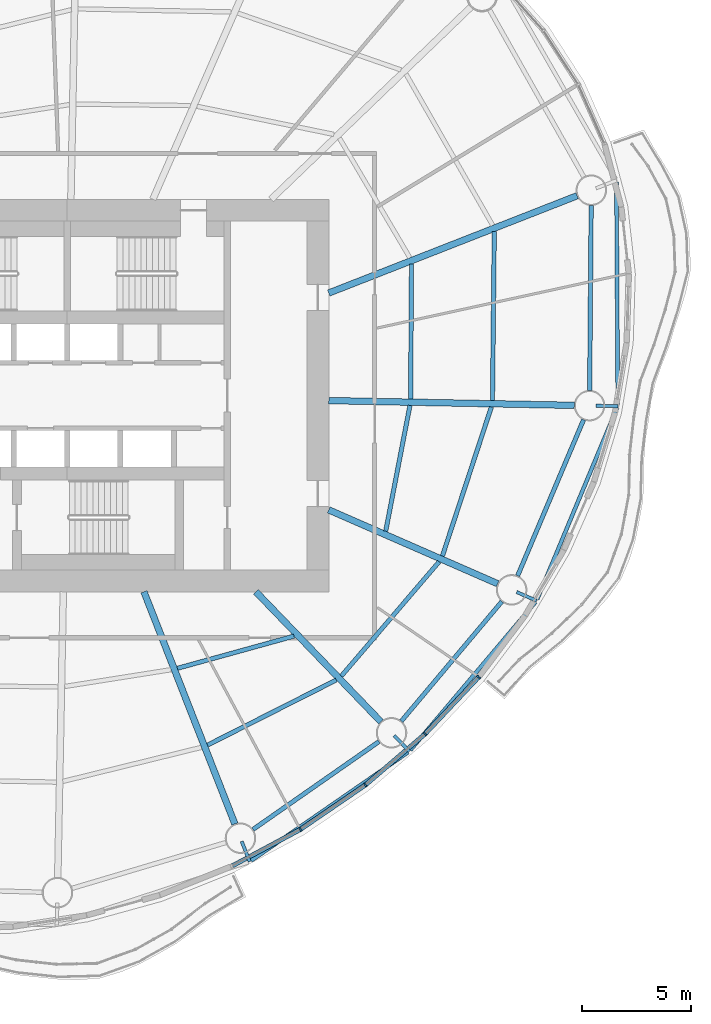
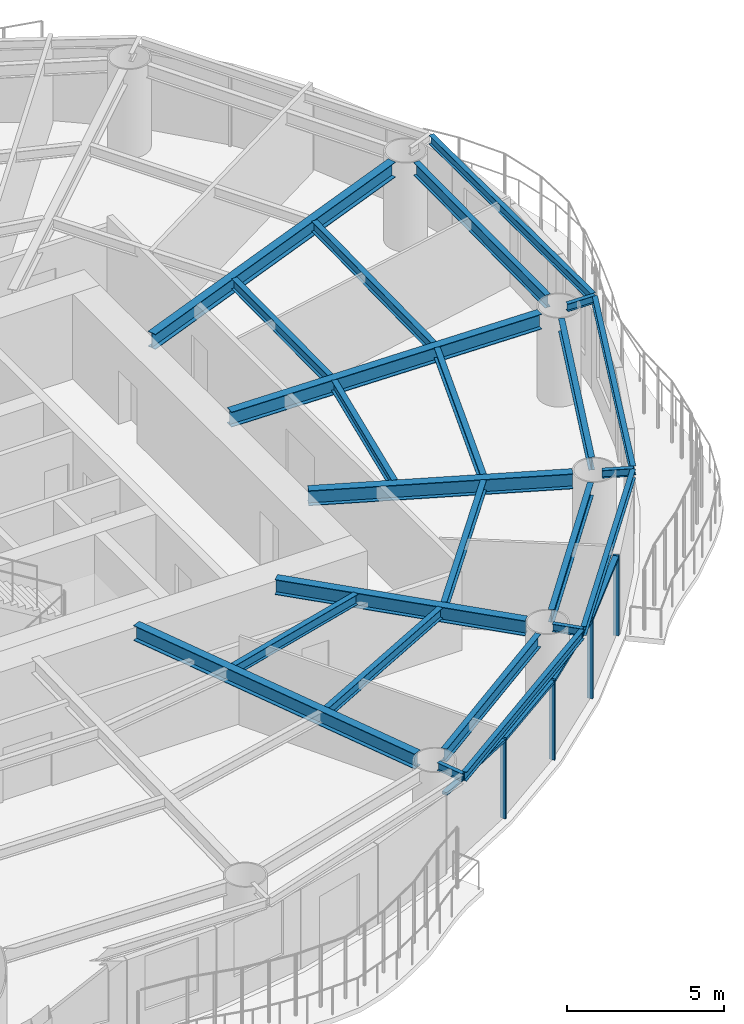
# One storey, part 4 of 15: 24 beams, 8 members, 4 elements without a shape of their own.
"""IFC4 building model written with IfcOpenShell, lengths in metres."""

from ifc_helpers import new_model, si_unit, direction, frame, origin, origin_2d, place, context, subcontext, project, spatial, rectangle, i_section, extrude, material, material_profile, profile_set, type_object, element, aggregate, save


model = new_model("IFC4")

# Units and contexts
model_context = context("Model", 3, precision=1e-05, world=origin(), true_north=direction((0.0, 1.0)))
body_context = subcontext(model_context, "Body", "Model", "MODEL_VIEW")
ifc_project = project(units=[si_unit("LENGTHUNIT", "METRE"), si_unit("AREAUNIT", "SQUARE_METRE"), si_unit("VOLUMEUNIT", "CUBIC_METRE"), si_unit("PLANEANGLEUNIT", "RADIAN"), si_unit("MASSUNIT", "GRAM", prefix="KILO")], contexts=[model_context])

# Site, building, storey
site_placement = place(None, origin())
site = spatial("IfcSite", under=ifc_project, at=site_placement, CompositionType="ELEMENT")
building_placement = place(site_placement, origin())
building = spatial("IfcBuilding", under=site, at=building_placement, Name="Vermilion Reach Broadcast Tower", CompositionType="ELEMENT")
storey_placement = place(building_placement, frame((0.0, 0.0, 183.0)))
storey = spatial("IfcBuildingStorey", under=building, at=storey_placement, Name="L44", CompositionType="ELEMENT", Elevation=183.0)

# Beams
ifc_material_1 = material(Name="Steel S355J2", Category="steel")
ifc_material_profile_1 = material_profile(ifc_material_1, i_section(OverallWidth=0.175048828125, OverallDepth=0.35009765625, WebThickness=0.007080078125, FlangeThickness=0.010986328125, at=origin_2d()), Name="S355J2 HN 350x175x7x11")
ifc_profile_set_1 = profile_set([ifc_material_profile_1], Name="Steel S355J2")
beam_type_1 = type_object("IfcBeamType", Name="EB3 HN 350x175x7x11", PredefinedType="BEAM", material=ifc_profile_set_1)
beam_1_placement = place(storey_placement, frame((2.4365234375, -21.3330078125, 3.27490234375), z_axis=(0.822726304078, 0.568437708618, 0.0), x_axis=(-0.568437708618, 0.822726304078, 0.0)))
element("IfcBeam", 1, at=beam_1_placement, inside=storey, type_object=beam_type_1, Name="Edge beam EB3-12", PredefinedType="BEAM", context=body_context, shape_type="SweptSolid", body=[
    extrude(i_section(OverallWidth=0.175048828125, OverallDepth=0.35009765625, WebThickness=0.007080078125, FlangeThickness=0.010986328125, at=origin_2d()), origin(), (0.0, 0.0, 1.0), 8.748291015625),
])
beam_2_placement = place(storey_placement, frame((9.745361328125, -16.25927734375, 3.27490234375), z_axis=(0.645529615805, 0.763735238887, 0.0), x_axis=(-0.763735238887, 0.645529615805, 0.0)))
element("IfcBeam", 2, at=beam_2_placement, inside=storey, type_object=beam_type_1, Name="Edge beam EB3-13", PredefinedType="BEAM", context=body_context, shape_type="SweptSolid", body=[
    extrude(i_section(OverallWidth=0.175048828125, OverallDepth=0.35009765625, WebThickness=0.007080078125, FlangeThickness=0.010986328125, at=origin_2d()), origin(), (0.0, 0.0, 1.0), 8.887451171875),
])
beam_3_placement = place(storey_placement, frame((15.561767578125, -9.3427734375, 3.27490234375), z_axis=(0.385054534392, 0.922893821382, 0.0), x_axis=(-0.922893821382, 0.385054534392, 0.0)))
element("IfcBeam", 3, at=beam_3_placement, inside=storey, type_object=beam_type_1, Name="Edge beam EB3-14", PredefinedType="BEAM", context=body_context, shape_type="SweptSolid", body=[
    extrude(i_section(OverallWidth=0.175048828125, OverallDepth=0.35009765625, WebThickness=0.007080078125, FlangeThickness=0.010986328125, at=origin_2d()), origin(), (0.0, 0.0, 1.0), 9.512451171875),
])
beam_4_placement = place(storey_placement, frame((19.255126953125, -0.414306640625, 3.27490234375), z_axis=(-0.005982471672, 0.999982104856, 0.0), x_axis=(-0.999982104856, -0.005982471672, 0.0)))
element("IfcBeam", 4, at=beam_4_placement, inside=storey, type_object=beam_type_1, Name="Edge beam EB3-15", PredefinedType="BEAM", context=body_context, shape_type="SweptSolid", body=[
    extrude(i_section(OverallWidth=0.175048828125, OverallDepth=0.35009765625, WebThickness=0.007080078125, FlangeThickness=0.010986328125, at=origin_2d()), origin(), (0.0, 0.0, 1.0), 10.202392578125),
])
ifc_material_2 = material(Name="Steel S355J2", Category="steel")
ifc_material_profile_2 = material_profile(ifc_material_2, i_section(OverallWidth=0.300048828125, OverallDepth=0.587890625, WebThickness=0.011962890625, FlangeThickness=0.02001953125, at=origin_2d()), Name="S355J2 HM 588x300x12x20")
ifc_profile_set_2 = profile_set([ifc_material_profile_2], Name="Steel S355J2")
beam_type_2 = type_object("IfcBeamType", Name="G3 HM 588x300x12x20", PredefinedType="BEAM", material=ifc_profile_set_2)
beam_5_placement = place(storey_placement, frame((-2.474853515625, -9.0, 3.156005859375), z_axis=(0.364715649973, -0.931118947646, 0.0), x_axis=(0.931118947646, 0.364715649973, 0.0)))
element("IfcBeam", 5, at=beam_5_placement, inside=storey, type_object=beam_type_2, Name="Girder G3-12", PredefinedType="BEAM", context=body_context, shape_type="SweptSolid", body=[
    extrude(i_section(OverallWidth=0.300048828125, OverallDepth=0.587890625, WebThickness=0.011962890625, FlangeThickness=0.02001953125, at=origin_2d()), origin(), (0.0, 0.0, 1.0), 11.436767578125),
])
beam_6_placement = place(storey_placement, frame((2.657958984375, -9.0, 3.156005859375), z_axis=(0.693282657492, -0.72066577331, 0.0), x_axis=(0.72066577331, 0.693282657492, 0.0)))
element("IfcBeam", 6, at=beam_6_placement, inside=storey, type_object=beam_type_2, Name="Girder G3-13", PredefinedType="BEAM", context=body_context, shape_type="SweptSolid", body=[
    extrude(i_section(OverallWidth=0.300048828125, OverallDepth=0.587890625, WebThickness=0.011962890625, FlangeThickness=0.02001953125, at=origin_2d()), origin(), (0.0, 0.0, 1.0), 8.273681640625),
])
beam_7_placement = place(storey_placement, frame((6.0, -5.2451171875, 3.156005859375), z_axis=(0.916287847036, -0.400520388213, 0.0), x_axis=(0.400520388213, 0.916287847036, 0.0)))
element("IfcBeam", 7, at=beam_7_placement, inside=storey, type_object=beam_type_2, Name="Girder G3-14", PredefinedType="BEAM", context=body_context, shape_type="SweptSolid", body=[
    extrude(i_section(OverallWidth=0.300048828125, OverallDepth=0.587890625, WebThickness=0.011962890625, FlangeThickness=0.02001953125, at=origin_2d()), origin(), (0.0, 0.0, 1.0), 8.45458984375),
])
beam_8_placement = place(storey_placement, frame((6.0, -0.232421875, 3.156005859375), z_axis=(0.999812170888, -0.019380994401, 0.0), x_axis=(0.019380994401, 0.999812170888, 0.0)))
element("IfcBeam", 8, at=beam_8_placement, inside=storey, type_object=beam_type_2, Name="Girder G3-15", PredefinedType="BEAM", context=body_context, shape_type="SweptSolid", body=[
    extrude(i_section(OverallWidth=0.300048828125, OverallDepth=0.587890625, WebThickness=0.011962890625, FlangeThickness=0.02001953125, at=origin_2d()), origin(), (0.0, 0.0, 1.0), 11.26171875),
])
beam_9_placement = place(storey_placement, frame((6.0, 4.700439453125, 3.156005859375), z_axis=(0.931124635714, 0.364701128004, 0.0), x_axis=(-0.364701128004, 0.931124635714, 0.0)))
element("IfcBeam", 9, at=beam_9_placement, inside=storey, type_object=beam_type_2, Name="Girder G3-16", PredefinedType="BEAM", context=body_context, shape_type="SweptSolid", body=[
    extrude(i_section(OverallWidth=0.300048828125, OverallDepth=0.587890625, WebThickness=0.011962890625, FlangeThickness=0.02001953125, at=origin_2d()), origin(), (0.0, 0.0, 1.0), 12.231201171875),
])
ifc_material_3 = material(Name="Steel S355J2", Category="steel")
ifc_material_profile_3 = material_profile(ifc_material_3, i_section(OverallWidth=0.14990234375, OverallDepth=0.300048828125, WebThickness=0.006591796875, FlangeThickness=0.009033203125, at=origin_2d()), Name="S355J2 HN 300x150x6.5x9")
ifc_profile_set_3 = profile_set([ifc_material_profile_3], Name="Steel S355J2")
beam_type_3 = type_object("IfcBeamType", Name="GS3 HN 300x150x6.5x9", PredefinedType="BEAM", material=ifc_profile_set_3)
for number, where, z_axis, x_axis, name in (
    (10, (2.008544921875, -20.44580078125, 3.300048828125), (0.364730702407, -0.931113051526, 0.0), (0.931113051526, 0.364730702407, 0.0), "Cantilever stub GS3-12"),
    (11, (9.00341796875, -15.59619140625, 3.300048828125), (0.69317702606, -0.720767376164, 0.0), (0.720767376164, 0.69317702606, 0.0), "Cantilever stub GS3-13"),
    (12, (14.616455078125, -9.011474609375, 3.300048828125), (0.916330962408, -0.400421736837, 0.0), (0.400421736837, 0.916330962408, 0.0), "Cantilever stub GS3-14"),
    (13, (18.255859375, -0.469970703125, 3.300048828125), (0.999813964781, -0.019288230334, 0.0), (0.019288230334, 0.999813964781, 0.0), "Cantilever stub GS3-15"),
):
    element("IfcBeam", number, at=place(storey_placement, frame(where, z_axis=z_axis, x_axis=x_axis)), inside=storey, type_object=beam_type_3, Name=name, PredefinedType="BEAM", context=body_context, shape_type="SweptSolid", body=[
        extrude(i_section(OverallWidth=0.14990234375, OverallDepth=0.300048828125, WebThickness=0.006591796875, FlangeThickness=0.009033203125, at=origin_2d()), origin(), (0.0, 0.0, 1.0), 1.0),
    ])
ifc_material_4 = material(Name="Steel S355J2", Category="steel")
ifc_material_profile_4 = material_profile(ifc_material_4, i_section(OverallWidth=0.199951171875, OverallDepth=0.5, WebThickness=0.010009765625, FlangeThickness=0.01611328125, at=origin_2d()), Name="S355J2 HN 500x200x10x16")
ifc_profile_set_4 = profile_set([ifc_material_profile_4], Name="Steel S355J2")
beam_type_4 = type_object("IfcBeamType", Name="RB3 HN 500x200x10x16", PredefinedType="BEAM", material=ifc_profile_set_4)
beam_10_placement = place(storey_placement, frame((2.525634765625, -19.900146484375, 3.199951171875), z_axis=(0.820111453349, 0.572203813415, 0.0), x_axis=(-0.572203813415, 0.820111453349, 0.0)))
element("IfcBeam", 14, at=beam_10_placement, inside=storey, type_object=beam_type_4, Name="Ring beam RB3-12", PredefinedType="BEAM", context=body_context, shape_type="SweptSolid", body=[
    extrude(i_section(OverallWidth=0.199951171875, OverallDepth=0.5, WebThickness=0.010009765625, FlangeThickness=0.01611328125, at=origin_2d()), origin(), (0.0, 0.0, 1.0), 7.04736328125),
])
beam_11_placement = place(storey_placement, frame((9.32958984375, -14.931396484375, 3.199951171875), z_axis=(0.643350337931, 0.765571905626, 0.0), x_axis=(-0.765571905626, 0.643350337931, 0.0)))
element("IfcBeam", 15, at=beam_11_placement, inside=storey, type_object=beam_type_4, Name="Ring beam RB3-13", PredefinedType="BEAM", context=body_context, shape_type="SweptSolid", body=[
    extrude(i_section(OverallWidth=0.199951171875, OverallDepth=0.5, WebThickness=0.010009765625, FlangeThickness=0.01611328125, at=origin_2d()), origin(), (0.0, 0.0, 1.0), 7.1630859375),
])
beam_12_placement = place(storey_placement, frame((14.660888671875, -8.266845703125, 3.199951171875), z_axis=(0.389368386196, 0.921082113512, 0.0), x_axis=(-0.921082113512, 0.389368386196, 0.0)))
element("IfcBeam", 16, at=beam_12_placement, inside=storey, type_object=beam_type_4, Name="Ring beam RB3-14", PredefinedType="BEAM", context=body_context, shape_type="SweptSolid", body=[
    extrude(i_section(OverallWidth=0.199951171875, OverallDepth=0.5, WebThickness=0.010009765625, FlangeThickness=0.01611328125, at=origin_2d()), origin(), (0.0, 0.0, 1.0), 7.771240234375),
])
beam_13_placement = place(storey_placement, frame((17.965087890625, 0.23583984375, 3.199951171875), z_axis=(0.008204232036, 0.999966344722, 0.0), x_axis=(-0.999966344722, 0.008204232036, 0.0)))
element("IfcBeam", 17, at=beam_13_placement, inside=storey, type_object=beam_type_4, Name="Ring beam RB3-15", PredefinedType="BEAM", context=body_context, shape_type="SweptSolid", body=[
    extrude(i_section(OverallWidth=0.199951171875, OverallDepth=0.5, WebThickness=0.010009765625, FlangeThickness=0.01611328125, at=origin_2d()), origin(), (0.0, 0.0, 1.0), 8.48095703125),
])
ifc_material_5 = material(Name="Steel S355J2", Category="steel")
ifc_material_profile_5 = material_profile(ifc_material_5, i_section(OverallWidth=0.199951171875, OverallDepth=0.39990234375, WebThickness=0.008056640625, FlangeThickness=0.012939453125, at=origin_2d()), Name="S355J2 HN 400x200x8x13")
ifc_profile_set_5 = profile_set([ifc_material_profile_5], Name="Steel S355J2")
beam_type_5 = type_object("IfcBeamType", Name="SB3 HN 400x200x8x13", PredefinedType="BEAM", material=ifc_profile_set_5)
beam_14_placement = place(storey_placement, frame((-0.93896484375, -12.509521484375, 3.25), z_axis=(0.963889790258, 0.266301468708, 0.0), x_axis=(-0.266301468708, 0.963889790258, 0.0)))
element("IfcBeam", 18, at=beam_14_placement, inside=storey, type_object=beam_type_5, Name="Secondary beam SB3-12-1", PredefinedType="BEAM", context=body_context, shape_type="SweptSolid", body=[
    extrude(i_section(OverallWidth=0.199951171875, OverallDepth=0.39990234375, WebThickness=0.008056640625, FlangeThickness=0.012939453125, at=origin_2d()), origin(), (0.0, 0.0, 1.0), 5.544677734375),
])
beam_15_placement = place(storey_placement, frame((0.4404296875, -16.03125, 3.25), z_axis=(0.892320561657, 0.451402276516, 0.0), x_axis=(-0.451402276516, 0.892320561657, 0.0)))
element("IfcBeam", 19, at=beam_15_placement, inside=storey, type_object=beam_type_5, Name="Secondary beam SB3-12-2", PredefinedType="BEAM", context=body_context, shape_type="SweptSolid", body=[
    extrude(i_section(OverallWidth=0.199951171875, OverallDepth=0.39990234375, WebThickness=0.008056640625, FlangeThickness=0.012939453125, at=origin_2d()), origin(), (0.0, 0.0, 1.0), 6.613525390625),
])
beam_16_placement = place(storey_placement, frame((6.579833984375, -12.860595703125, 3.25), z_axis=(0.650167134505, 0.759791219487, 0.0), x_axis=(-0.759791219487, 0.650167134505, 0.0)))
element("IfcBeam", 20, at=beam_16_placement, inside=storey, type_object=beam_type_5, Name="Secondary beam SB3-13-2", PredefinedType="BEAM", context=body_context, shape_type="SweptSolid", body=[
    extrude(i_section(OverallWidth=0.199951171875, OverallDepth=0.39990234375, WebThickness=0.008056640625, FlangeThickness=0.012939453125, at=origin_2d()), origin(), (0.0, 0.0, 1.0), 6.89501953125),
])
beam_17_placement = place(storey_placement, frame((8.611328125, -6.222900390625, 3.25), z_axis=(0.189462365782, 0.981887983404, 0.0), x_axis=(-0.981887983404, 0.189462365782, 0.0)))
element("IfcBeam", 21, at=beam_17_placement, inside=storey, type_object=beam_type_5, Name="Secondary beam SB3-14-1", PredefinedType="BEAM", context=body_context, shape_type="SweptSolid", body=[
    extrude(i_section(OverallWidth=0.199951171875, OverallDepth=0.39990234375, WebThickness=0.008056640625, FlangeThickness=0.012939453125, at=origin_2d()), origin(), (0.0, 0.0, 1.0), 5.874755859375),
])
beam_18_placement = place(storey_placement, frame((11.211669921875, -7.359375, 3.25), z_axis=(0.312243016281, 0.950002262515, 0.0), x_axis=(-0.950002262515, 0.312243016281, 0.0)))
element("IfcBeam", 22, at=beam_18_placement, inside=storey, type_object=beam_type_5, Name="Secondary beam SB3-14-2", PredefinedType="BEAM", context=body_context, shape_type="SweptSolid", body=[
    extrude(i_section(OverallWidth=0.199951171875, OverallDepth=0.39990234375, WebThickness=0.008056640625, FlangeThickness=0.012939453125, at=origin_2d()), origin(), (0.0, 0.0, 1.0), 7.19189453125),
])
beam_19_placement = place(storey_placement, frame((9.754150390625, -0.1552734375, 3.25), z_axis=(0.006635449147, 0.999977985165, 0.0), x_axis=(-0.999977985165, 0.006635449147, 0.0)))
element("IfcBeam", 23, at=beam_19_placement, inside=storey, type_object=beam_type_5, Name="Secondary beam SB3-15-1", PredefinedType="BEAM", context=body_context, shape_type="SweptSolid", body=[
    extrude(i_section(OverallWidth=0.199951171875, OverallDepth=0.39990234375, WebThickness=0.008056640625, FlangeThickness=0.012939453125, at=origin_2d()), origin(), (0.0, 0.0, 1.0), 6.181396484375),
])
beam_20_placement = place(storey_placement, frame((13.508056640625, -0.22802734375, 3.25), z_axis=(0.010691708672, 0.999942842049, 0.0), x_axis=(-0.999942842049, 0.010691708672, 0.0)))
element("IfcBeam", 24, at=beam_20_placement, inside=storey, type_object=beam_type_5, Name="Secondary beam SB3-15-2", PredefinedType="BEAM", context=body_context, shape_type="SweptSolid", body=[
    extrude(i_section(OverallWidth=0.199951171875, OverallDepth=0.39990234375, WebThickness=0.008056640625, FlangeThickness=0.012939453125, at=origin_2d()), origin(), (0.0, 0.0, 1.0), 7.740966796875),
])

# Curtain wall, member
ifc_material_6 = material(Name="Low-e laminated clear glass in aluminium frame", Category="aluminium")
curtain_wall_type = type_object("IfcCurtainWallType", Name="Slot curtain wall", PredefinedType="NOTDEFINED", material=ifc_material_6)
placement = place(storey_placement, origin())
curtain_wall_1 = element("IfcCurtainWall", 25, at=placement, inside=storey, type_object=curtain_wall_type, Name="Slot curtain wall L44 35", PredefinedType="NOTDEFINED")
ifc_material_7 = material(Name="Anodised aluminium", Category="aluminium")
ifc_material_profile_6 = material_profile(ifc_material_7, rectangle(XDim=0.199951171875, YDim=0.080078125, at=origin_2d()), Name="Slot mullion 80 x 200")
ifc_profile_set_6 = profile_set([ifc_material_profile_6], Name="Anodised aluminium")
member_type_1 = type_object("IfcMemberType", Name="Slot mullion 80 x 200", PredefinedType="MULLION", material=ifc_profile_set_6)
member_1_placement = place(storey_placement, frame((4.701416015625, -19.89697265625, 0.0), z_axis=(0.0, 0.0, 1.0), x_axis=(-0.519132337817, 0.854693872584, 0.0)))
member_1 = element("IfcMember", 26, at=member_1_placement, type_object=member_type_1, Name="Slot mullion L44 35", PredefinedType="MULLION", context=body_context, shape_type="SweptSolid", body=[
    extrude(rectangle(XDim=0.199951171875, YDim=0.080078125, at=origin_2d()), origin(), (0.0, 0.0, 1.0), 3.10009765625),
])

curtain_wall_2 = element("IfcCurtainWall", 27, at=placement, inside=storey, type_object=curtain_wall_type, Name="Slot curtain wall L44 36", PredefinedType="NOTDEFINED")
member_2_placement = place(storey_placement, frame((7.676513671875, -17.8623046875, 0.0), z_axis=(0.0, 0.0, 1.0), x_axis=(-0.607930266154, 0.793990422797, 0.0)))
member_2 = element("IfcMember", 28, at=member_2_placement, type_object=member_type_1, Name="Slot mullion L44 36", PredefinedType="MULLION", context=body_context, shape_type="SweptSolid", body=[
    extrude(rectangle(XDim=0.199951171875, YDim=0.080078125, at=origin_2d()), origin(), (0.0, 0.0, 1.0), 3.10009765625),
])

# Curtain wall, members
curtain_wall_3 = element("IfcCurtainWall", 29, at=placement, inside=storey, type_object=curtain_wall_type, Name="Slot curtain wall L44 37", PredefinedType="NOTDEFINED")
member_3_placement = place(storey_placement, frame((10.416748046875, -15.52099609375, 0.0), z_axis=(0.0, 0.0, 1.0), x_axis=(-0.689694433642, 0.724100537359, 0.0)))
member_3 = element("IfcMember", 30, at=member_3_placement, type_object=member_type_1, Name="Slot mullion L44 37", PredefinedType="MULLION", context=body_context, shape_type="SweptSolid", body=[
    extrude(rectangle(XDim=0.199951171875, YDim=0.080078125, at=origin_2d()), origin(), (0.0, 0.0, 1.0), 3.10009765625),
])
member_4_placement = place(storey_placement, frame((12.87451171875, -12.9130859375, 0.0), z_axis=(0.0, 0.0, 1.0), x_axis=(-0.764257717963, 0.644910955508, 0.0)))
member_4 = element("IfcMember", 31, at=member_4_placement, type_object=member_type_1, Name="Slot mullion L44 38", PredefinedType="MULLION", context=body_context, shape_type="SweptSolid", body=[
    extrude(rectangle(XDim=0.199951171875, YDim=0.080078125, at=origin_2d()), origin(), (0.0, 0.0, 1.0), 3.10009765625),
])

# Curtain wall, member
curtain_wall_4 = element("IfcCurtainWall", 32, at=placement, inside=storey, type_object=curtain_wall_type, Name="Slot curtain wall L44 34", PredefinedType="NOTDEFINED")
ifc_material_8 = material(Name="Anodised aluminium", Category="aluminium")
ifc_material_profile_7 = material_profile(ifc_material_8, rectangle(XDim=0.199951171875, YDim=0.10009765625, at=origin_2d()), Name="Slot transom 200 x 100")
ifc_profile_set_7 = profile_set([ifc_material_profile_7], Name="Anodised aluminium")
member_type_2 = type_object("IfcMemberType", Name="Slot transom 200 x 100", PredefinedType="USERDEFINED", material=ifc_profile_set_7)
member_5_placement = place(storey_placement, frame((1.577880859375, -21.570556640625, 3.050048828125), z_axis=(0.881444748045, 0.472287154328, 0.0), x_axis=(-0.472287154328, 0.881444748045, 0.0)))
member_5 = element("IfcMember", 33, at=member_5_placement, type_object=member_type_2, Name="Slot transom L44 34.1", ObjectType="TRANSOM", PredefinedType="USERDEFINED", context=body_context, shape_type="SweptSolid", body=[
    extrude(rectangle(XDim=0.199951171875, YDim=0.10009765625, at=origin_2d()), origin(), (0.0, 0.0, 1.0), 3.503662109375),
])
aggregate(curtain_wall_4, [member_5])

# Member
member_6_placement = place(storey_placement, frame((4.734375, -19.874267578125, 3.050048828125), z_axis=(0.825470347749, 0.564445484513, 0.0), x_axis=(-0.564445484513, 0.825470347749, 0.0)))
member_6 = element("IfcMember", 34, at=member_6_placement, type_object=member_type_2, Name="Slot transom L44 35.1", ObjectType="TRANSOM", PredefinedType="USERDEFINED", context=body_context, shape_type="SweptSolid", body=[
    extrude(rectangle(XDim=0.199951171875, YDim=0.10009765625, at=origin_2d()), origin(), (0.0, 0.0, 1.0), 3.524169921875),
])

aggregate(curtain_wall_1, [member_1, member_6])

member_7_placement = place(storey_placement, frame((7.70703125, -17.83642578125, 3.050048828125), z_axis=(0.760223982255, 0.64966106302, 0.0), x_axis=(-0.64966106302, 0.760223982255, 0.0)))
member_7 = element("IfcMember", 35, at=member_7_placement, type_object=member_type_2, Name="Slot transom L44 36.1", ObjectType="TRANSOM", PredefinedType="USERDEFINED", context=body_context, shape_type="SweptSolid", body=[
    extrude(rectangle(XDim=0.199951171875, YDim=0.10009765625, at=origin_2d()), origin(), (0.0, 0.0, 1.0), 3.524169921875),
])

aggregate(curtain_wall_2, [member_2, member_7])

member_8_placement = place(storey_placement, frame((10.444091796875, -15.491943359375, 3.050048828125), z_axis=(0.68585792557, 0.727735464254, 0.0), x_axis=(-0.727735464254, 0.68585792557, 0.0)))
member_8 = element("IfcMember", 36, at=member_8_placement, type_object=member_type_2, Name="Slot transom L44 37.1", ObjectType="TRANSOM", PredefinedType="USERDEFINED", context=body_context, shape_type="SweptSolid", body=[
    extrude(rectangle(XDim=0.199951171875, YDim=0.10009765625, at=origin_2d()), origin(), (0.0, 0.0, 1.0), 3.503662109375),
])

aggregate(curtain_wall_3, [member_3, member_4, member_8])

save(model, "model.ifc")
